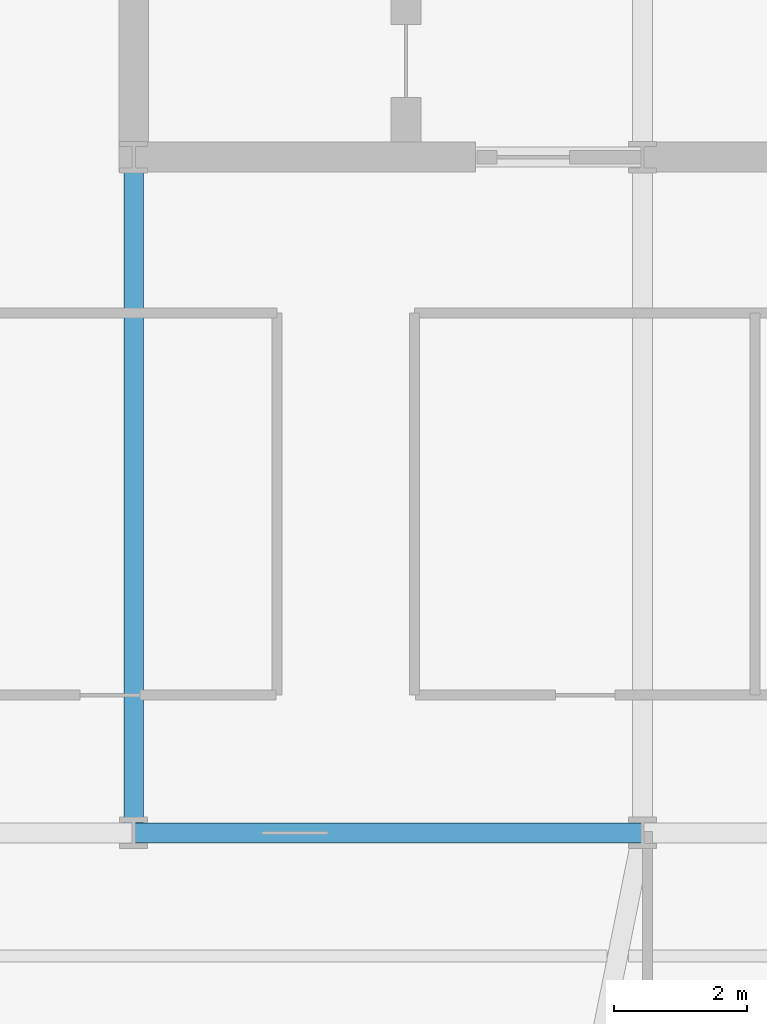
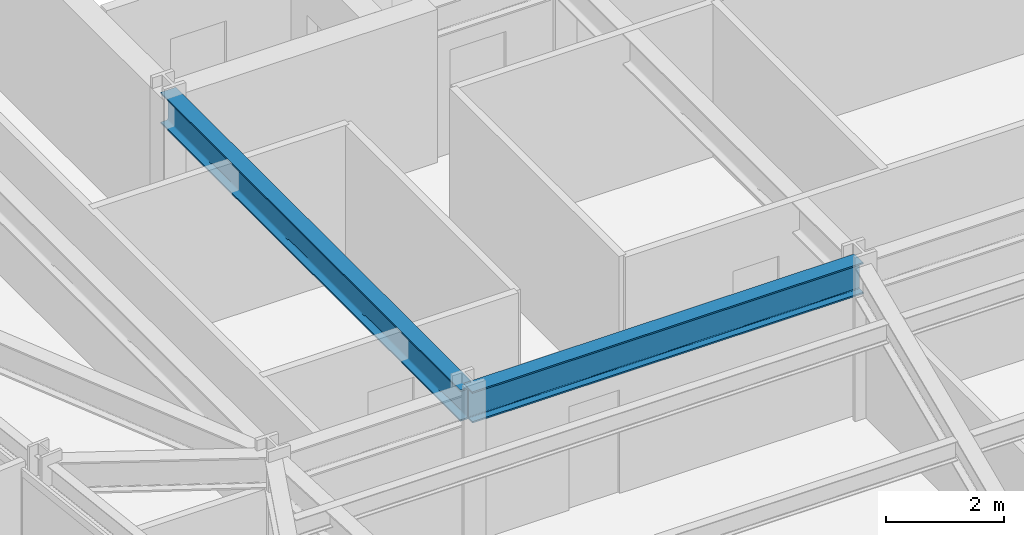
# One storey, part 7 of 32: 2 beams.
"""IFC4 building model written with IfcOpenShell, lengths in metres."""

import ifcopenshell
import ifcopenshell.guid

model = None  # the IFC model being written
_history = None  # IfcOwnerHistory: only IFC2X3 demands one
_inside = {}  # id of a spatial element -> (the spatial element, [elements in it])
_under = {}  # id of a project, library or spatial element -> (it, [spatial elements below it])
_declared = {}  # id of a project -> (the project, [libraries it declares])
_typed = {}  # id of a type object -> (the type object, [elements of that type])
_made_of = {}  # id of a material, layer set ... -> (it, [elements and type objects made of it])


def new_model(schema):
    """Start an empty IFC model of exactly this schema.

    Asked for "IFC4X3", IfcOpenShell would pick the latest addendum, in which some entities
    have other attributes; the version numbers below select the first issue.
    IFC2X3 requires an IfcOwnerHistory on every rooted entity: one is made here for all.
    """
    global model, _history
    if schema == "IFC4X3":
        model = ifcopenshell.file(schema_version=(4, 3, 0, 0))
    else:
        model = ifcopenshell.file(schema=schema)
    _inside.clear()
    _under.clear()
    _declared.clear()
    _typed.clear()
    _made_of.clear()
    _history = None
    if model.schema == "IFC2X3":
        org = make("IfcOrganization", Name="unknown")
        user = make(
            "IfcPersonAndOrganization",
            ThePerson=make("IfcPerson", FamilyName="unknown"),
            TheOrganization=org,
        )
        app = make(
            "IfcApplication",
            ApplicationDeveloper=org,
            Version="unknown",
            ApplicationFullName="unknown",
            ApplicationIdentifier="unknown",
        )
        _history = make(
            "IfcOwnerHistory",
            OwningUser=user,
            OwningApplication=app,
            ChangeAction="ADDED",
            CreationDate=0,
        )
    return model


def make(cls, **values):
    """One entity of the class cls with the attributes given. An attribute that is None is left unset."""
    return model.create_entity(
        cls, **{name: value for name, value in values.items() if value is not None}
    )


def rooted(cls, **values):
    """An entity with a GlobalId (a new one), such as an element, a storey or a relation."""
    return make(cls, GlobalId=ifcopenshell.guid.new(), OwnerHistory=_history, **values)


def si_unit(unit_type, name, prefix=None):
    """IfcSIUnit, for example si_unit("LENGTHUNIT", "METRE", prefix="MILLI")."""
    return make("IfcSIUnit", UnitType=unit_type, Prefix=prefix, Name=name)


def assignment(units):
    """IfcUnitAssignment: the units of a project."""
    return None if units is None else make("IfcUnitAssignment", Units=units)


def point(xyz):
    """IfcCartesianPoint."""
    return None if xyz is None else make("IfcCartesianPoint", Coordinates=xyz)


def direction(xyz):
    """IfcDirection."""
    return None if xyz is None else make("IfcDirection", DirectionRatios=xyz)


def frame(location, z_axis=None, x_axis=None):
    """IfcAxis2Placement3D, a coordinate frame: its origin and axes. An axis left out is left unset."""
    return make(
        "IfcAxis2Placement3D",
        Location=point(location),
        Axis=direction(z_axis),
        RefDirection=direction(x_axis),
    )


def frame_2d(location, x_axis=None):
    """IfcAxis2Placement2D, a coordinate frame in the plane: its origin and x axis."""
    return make(
        "IfcAxis2Placement2D", Location=point(location), RefDirection=direction(x_axis)
    )


def origin():
    """The frame at (0, 0, 0) with its axes left unset."""
    return frame((0.0, 0.0, 0.0))


def origin_2d():
    """The frame at (0, 0) in the plane with its x axis left unset."""
    return frame_2d((0.0, 0.0))


def place(relative_to, where):
    """IfcLocalPlacement: puts the frame where relative to a parent placement (None: the world)."""
    return make(
        "IfcLocalPlacement", PlacementRelTo=relative_to, RelativePlacement=where
    )


def context(
    kind, dimensions, precision=None, world=None, true_north=None, identifier=None
):
    """IfcGeometricRepresentationContext, for example the 3D "Model" context."""
    return make(
        "IfcGeometricRepresentationContext",
        ContextIdentifier=identifier,
        ContextType=kind,
        CoordinateSpaceDimension=dimensions,
        Precision=precision,
        WorldCoordinateSystem=world,
        TrueNorth=true_north,
    )


def subcontext(parent, identifier, kind, view, scale=None):
    """IfcGeometricRepresentationSubContext, for example "Body" below "Model"."""
    return make(
        "IfcGeometricRepresentationSubContext",
        ContextIdentifier=identifier,
        ContextType=kind,
        ParentContext=parent,
        TargetScale=scale,
        TargetView=view,
    )


def project(units=None, contexts=None):
    """IfcProject with its units and contexts."""
    return rooted(
        "IfcProject",
        Name="project",
        RepresentationContexts=contexts,
        UnitsInContext=assignment(units),
    )


def spatial(cls, under=None, at=None, **own):
    """A site, building, storey or space (cls), placed at a placement, below another one or the project."""
    s = rooted(cls, ObjectPlacement=at, **own)
    if under is not None:
        _under.setdefault(under.id(), (under, []))[1].append(s)
    return s


def profile(cls, at=None, kind="AREA", **sizes):
    """A parametric profile (cls). Its sizes go by their IFC names, for example OverallWidth=200.0."""
    return make(cls, ProfileType=kind, Position=at, **sizes)


def i_section(**sizes):
    """IfcIShapeProfileDef."""
    return profile("IfcIShapeProfileDef", **sizes)


def extrude(swept, where, along, depth):
    """IfcExtrudedAreaSolid: the profile swept, set in the frame where, extruded along a direction by depth."""
    return make(
        "IfcExtrudedAreaSolid",
        SweptArea=swept,
        Position=where,
        ExtrudedDirection=direction(along),
        Depth=depth,
    )


def shape(context_of_items, identifier, shape_type, items):
    """IfcShapeRepresentation: the items that make up one representation, for example the "Body"."""
    return make(
        "IfcShapeRepresentation",
        ContextOfItems=context_of_items,
        RepresentationIdentifier=identifier,
        RepresentationType=shape_type,
        Items=items,
    )


def material(Name=None, Category=None):
    """IfcMaterial."""
    return make("IfcMaterial", Name=Name, Category=Category)


def material_profile(
    of_material, cross_section, Name=None, Category=None, Priority=None
):
    """IfcMaterialProfile: a cross section and its material."""
    return make(
        "IfcMaterialProfile",
        Name=Name,
        Material=of_material,
        Profile=cross_section,
        Priority=Priority,
        Category=Category,
    )


def profile_set(profiles, Name=None, composite=None):
    """IfcMaterialProfileSet."""
    return make(
        "IfcMaterialProfileSet",
        Name=Name,
        MaterialProfiles=profiles,
        CompositeProfile=composite,
    )


def made_of(thing, what):
    """Note that an element or type object is made of a material, layer set ...; save() writes the relation."""
    if what is not None:
        _made_of.setdefault(what.id(), (what, []))[1].append(thing)
    return thing


def type_object(cls, material=None, **own):
    """A type object (cls), such as IfcWallType, which elements share."""
    return made_of(rooted(cls, **own), material)


def element(
    cls,
    number,
    at=None,
    inside=None,
    cuts=None,
    type_object=None,
    material=None,
    context=None,
    identifier="Body",
    shape_type=None,
    held_by="IfcProductDefinitionShape",
    body=None,
    shapes=None,
    **own,
):
    """One element of the class cls, such as IfcWall. Its Tag is "e" and its number.

    at: its placement. inside: the storey or other place that contains it. cuts: it is an
    opening in that element (IfcRelVoidsElement). A single representation is given by context,
    identifier, shape_type and body (its items); several are given by shapes. held_by: the class
    of the entity that holds the representations. save() writes the other relations.
    """
    e = rooted(cls, Tag="e%d" % number, ObjectPlacement=at, **own)
    if body is not None:
        shapes = [shape(context, identifier, shape_type, body)]
    if shapes is not None:
        e.Representation = make(held_by, Representations=shapes)
    if inside is not None:
        _inside.setdefault(inside.id(), (inside, []))[1].append(e)
    if cuts is not None:
        rooted(
            "IfcRelVoidsElement", RelatingBuildingElement=cuts, RelatedOpeningElement=e
        )
    if type_object is not None:
        _typed.setdefault(type_object.id(), (type_object, []))[1].append(e)
    return made_of(e, material)


def aggregate(whole, parts):
    """IfcRelAggregates: a whole, such as a stair, and the parts it consists of."""
    return rooted("IfcRelAggregates", RelatingObject=whole, RelatedObjects=parts)


def save(model, path):
    """Write the relations noted so far, then the file.

    IfcRelAggregates (storeys below a building ...), IfcRelContainedInSpatialStructure (elements
    in a storey), IfcRelDefinesByType, IfcRelAssociatesMaterial and IfcRelDeclares: one each for
    every whole, place, type object, material and project.
    """
    for whole, parts in _under.values():
        aggregate(whole, parts)
    for where, things in _inside.values():
        rooted(
            "IfcRelContainedInSpatialStructure",
            RelatedElements=things,
            RelatingStructure=where,
        )
    for kind, things in _typed.values():
        rooted("IfcRelDefinesByType", RelatedObjects=things, RelatingType=kind)
    for what, things in _made_of.values():
        rooted("IfcRelAssociatesMaterial", RelatedObjects=things, RelatingMaterial=what)
    for by, libraries in _declared.values():
        rooted("IfcRelDeclares", RelatingContext=by, RelatedDefinitions=libraries)
    model.write(path)


model = new_model("IFC4")

# Units and contexts
model_context = context("Model", 3, precision=1e-05, world=origin(), true_north=direction((0.0, 1.0)))
body_context = subcontext(model_context, "Body", "Model", "MODEL_VIEW")
ifc_project = project(units=[si_unit("LENGTHUNIT", "METRE"), si_unit("AREAUNIT", "SQUARE_METRE"), si_unit("VOLUMEUNIT", "CUBIC_METRE"), si_unit("PLANEANGLEUNIT", "RADIAN"), si_unit("MASSUNIT", "GRAM", prefix="KILO")], contexts=[model_context])

# Site, building, storey
site_placement = place(None, origin())
site = spatial("IfcSite", under=ifc_project, at=site_placement, CompositionType="ELEMENT")
building_placement = place(site_placement, origin())
building = spatial("IfcBuilding", under=site, at=building_placement, Name="Yelkora Congress Tower", CompositionType="ELEMENT")
storey_placement = place(building_placement, frame((0.0, 0.0, 93.10009765625)))
storey = spatial("IfcBuildingStorey", under=building, at=storey_placement, Name="L24", CompositionType="ELEMENT", Elevation=93.10009765625)

# Beams
ifc_material = material(Name="Steel S355J2", Category="steel")
ifc_material_profile = material_profile(ifc_material, i_section(OverallWidth=0.300048828125, OverallDepth=0.64990234375, WebThickness=0.01611328125, FlangeThickness=0.031005859375, FilletRadius=0.027099609375, at=origin_2d()), Name="HEB 650")
ifc_profile_set = profile_set([ifc_material_profile], Name="Steel S355J2")
beam_type = type_object("IfcBeamType", Name="BM-GIRD-HEB650", PredefinedType="BEAM", material=ifc_profile_set)
beam_1_placement = place(storey_placement, frame((23.0400390625, 25.199951171875, 2.85498046875), z_axis=(1.0, 0.0, 0.0), x_axis=(0.0, 1.0, 0.0)))
element("IfcBeam", 1, at=beam_1_placement, inside=storey, type_object=beam_type, Name="L24 Spine Grid D Girder 2", PredefinedType="BEAM", context=body_context, shape_type="SweptSolid", body=[
    extrude(i_section(OverallWidth=0.300048828125, OverallDepth=0.64990234375, WebThickness=0.01611328125, FlangeThickness=0.031005859375, FilletRadius=0.027099609375, at=origin_2d()), origin(), (0.0, 0.0, 1.0), 7.679931640625),
])
beam_2_placement = place(storey_placement, frame((23.0400390625, 25.199951171875, 2.85498046875), z_axis=(0.0, 1.0, 0.0), x_axis=(-1.0, 0.0, 0.0)))
element("IfcBeam", 2, at=beam_2_placement, inside=storey, type_object=beam_type, Name="L24 Core Tie Girder MC-D1", PredefinedType="BEAM", context=body_context, shape_type="SweptSolid", body=[
    extrude(i_section(OverallWidth=0.300048828125, OverallDepth=0.64990234375, WebThickness=0.01611328125, FlangeThickness=0.031005859375, FilletRadius=0.027099609375, at=origin_2d()), origin(), (0.0, 0.0, 1.0), 10.199951171875),
])

save(model, "model.ifc")
